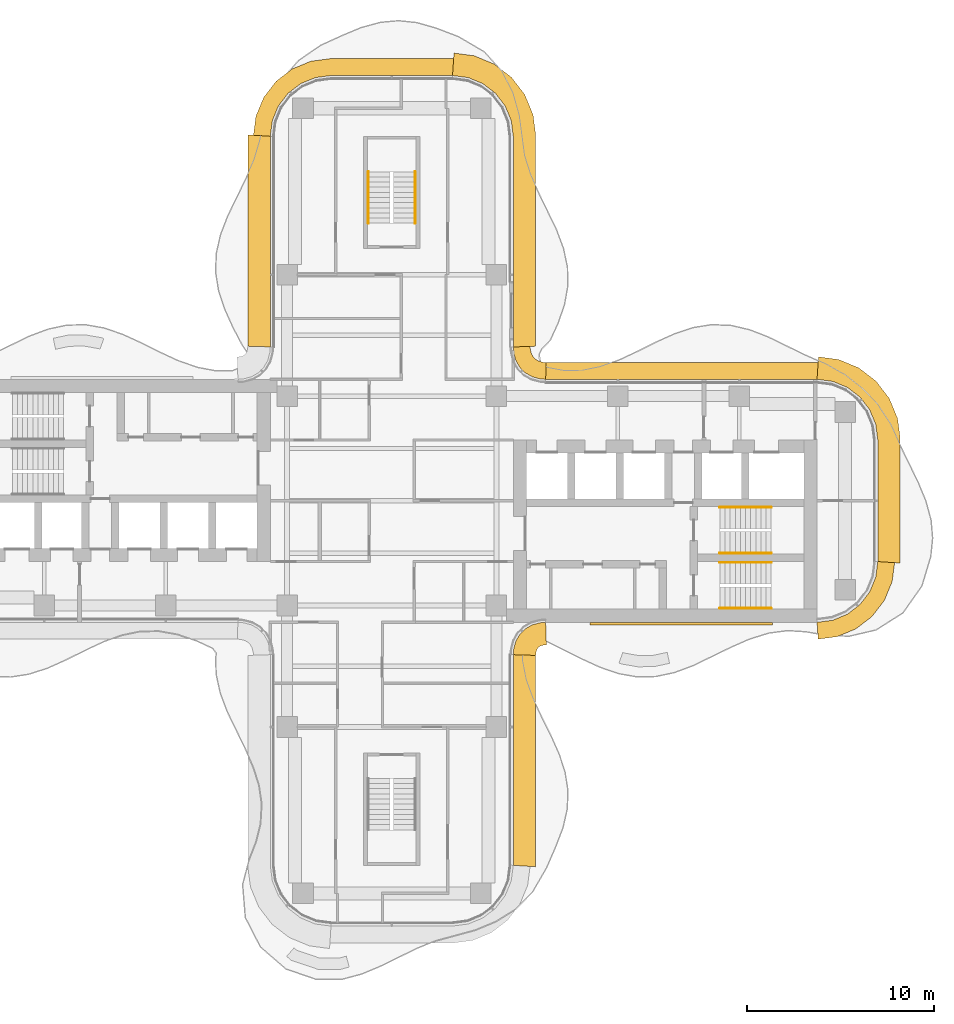
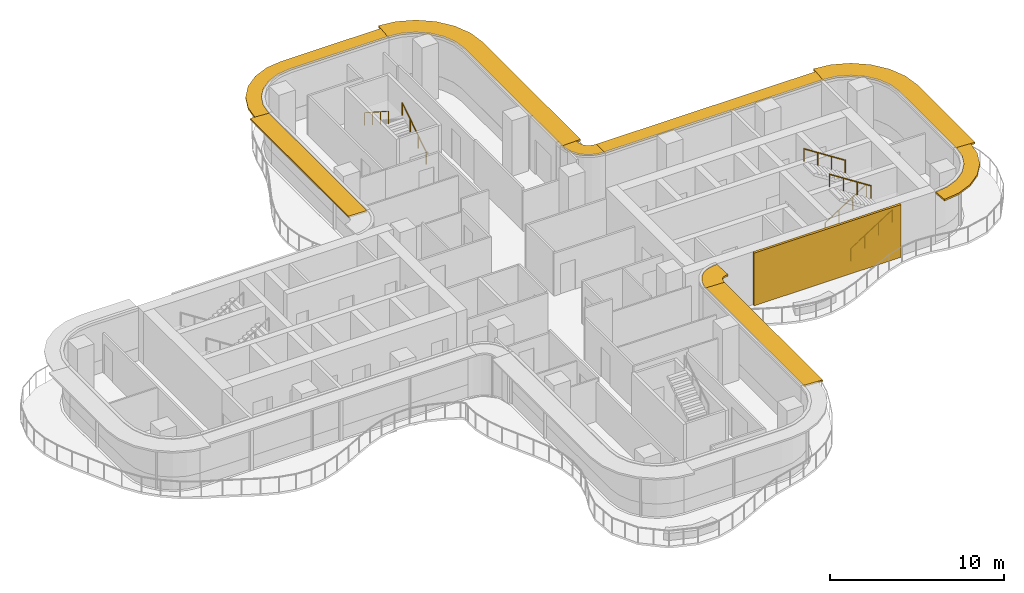
# One storey, part 16 of 16: 9 shading devices, 6 railings, 1 covering.
"""IFC4 building model written with IfcOpenShell, lengths in metres."""

from ifc_helpers import new_model, si_unit, direction, frame, origin, origin_2d, place, context, subcontext, project, spatial, polyline, circle, outline, extrude, source, transform, mapped, material, layer, layer_set, type_object, element, save


model = new_model("IFC4")

# Units and contexts
model_context = context("Model", 3, precision=1e-05, world=origin(), true_north=direction((0.0, 1.0)))
body_context = subcontext(model_context, "Body", "Model", "MODEL_VIEW")
ifc_project = project(units=[si_unit("LENGTHUNIT", "METRE"), si_unit("AREAUNIT", "SQUARE_METRE"), si_unit("VOLUMEUNIT", "CUBIC_METRE"), si_unit("PLANEANGLEUNIT", "RADIAN"), si_unit("MASSUNIT", "GRAM", prefix="KILO")], contexts=[model_context])

# Site, building, storey
site_placement = place(None, origin())
site = spatial("IfcSite", under=ifc_project, at=site_placement, CompositionType="ELEMENT")
building_placement = place(site_placement, origin())
building = spatial("IfcBuilding", under=site, at=building_placement, Name="Trellis Farm Tower", CompositionType="ELEMENT")
storey_placement = place(building_placement, frame((0.0, 0.0, 255.800048828125)))
storey = spatial("IfcBuildingStorey", under=building, at=storey_placement, Name="L57", CompositionType="ELEMENT", Elevation=255.800048828125)

# Railings
ifc_material_1 = material(Name="Stainless steel", Category="steel")
railing_type = type_object("IfcRailingType", Name="STAIR HANDRAIL 900", PredefinedType="HANDRAIL", material=ifc_material_1)
shared_shape_1 = source(origin(), body_context, "Body", "SweptSolid", [
    extrude(circle(Radius=0.02392578125, at=origin_2d()), frame((0.0, 0.0, 0.8759765625), z_axis=(0.0, 0.840503830235, 0.541805602924), x_axis=(-1.0, 0.0, 0.0)), (0.0, 0.0, 1.0), 3.271728515625),
    extrude(circle(Radius=0.02099609375, at=origin_2d()), origin(), (0.0, 0.0, 1.0), 0.851806640625),
    extrude(circle(Radius=0.02099609375, at=origin_2d()), frame((0.0, 0.916748046875, 0.5908203125)), (0.0, 0.0, 1.0), 0.851806640625),
    extrude(circle(Radius=0.02099609375, at=origin_2d()), frame((0.0, 1.833251953125, 1.181884765625)), (0.0, 0.0, 1.0), 0.851806640625),
    extrude(circle(Radius=0.02099609375, at=origin_2d()), frame((0.0, 2.75, 1.772705078125)), (0.0, 0.0, 1.0), 0.851806640625),
])
railing_1_placement = place(storey_placement, frame((1.25, 14.85009765625, 0.17724609375)))
element("IfcRailing", 1, at=railing_1_placement, inside=storey, type_object=railing_type, Name="Stair handrail", PredefinedType="HANDRAIL", context=body_context, shape_type="MappedRepresentation", body=[
    mapped(shared_shape_1, transform((0.0, 0.0, 0.0))),
])
shared_shape_2 = source(origin(), body_context, "Body", "SweptSolid", [
    extrude(circle(Radius=0.02392578125, at=origin_2d()), frame((0.0, 0.0, 0.8759765625), z_axis=(0.0, -0.840503830235, 0.541805602924), x_axis=(1.0, 0.0, 0.0)), (0.0, 0.0, 1.0), 3.271728515625),
    extrude(circle(Radius=0.02099609375, at=origin_2d()), origin(), (0.0, 0.0, 1.0), 0.851806640625),
    extrude(circle(Radius=0.02099609375, at=origin_2d()), frame((0.0, -0.916748046875, 0.5908203125)), (0.0, 0.0, 1.0), 0.851806640625),
    extrude(circle(Radius=0.02099609375, at=origin_2d()), frame((0.0, -1.833251953125, 1.181884765625)), (0.0, 0.0, 1.0), 0.851806640625),
    extrude(circle(Radius=0.02099609375, at=origin_2d()), frame((0.0, -2.75, 1.772705078125)), (0.0, 0.0, 1.0), 0.851806640625),
])
railing_2_placement = place(storey_placement, frame((-1.25, 17.60009765625, 2.127197265625)))
element("IfcRailing", 2, at=railing_2_placement, inside=storey, type_object=railing_type, Name="Stair handrail", PredefinedType="HANDRAIL", context=body_context, shape_type="MappedRepresentation", body=[
    mapped(shared_shape_2, transform((0.0, 0.0, 0.0))),
])
shared_shape_3 = source(origin(), body_context, "Body", "SweptSolid", [
    extrude(circle(Radius=0.02392578125, at=origin_2d()), frame((0.0, 0.0, 0.8759765625), z_axis=(0.840503830235, 0.0, 0.541805602924), x_axis=(0.0, 1.0, 0.0)), (0.0, 0.0, 1.0), 3.271728515625),
    extrude(circle(Radius=0.02099609375, at=origin_2d()), origin(), (0.0, 0.0, 1.0), 0.851806640625),
    extrude(circle(Radius=0.02099609375, at=origin_2d()), frame((0.916748046875, 0.0, 0.5908203125)), (0.0, 0.0, 1.0), 0.851806640625),
    extrude(circle(Radius=0.02099609375, at=origin_2d()), frame((1.833251953125, 0.0, 1.181884765625)), (0.0, 0.0, 1.0), 0.851806640625),
    extrude(circle(Radius=0.02099609375, at=origin_2d()), frame((2.75, 0.0, 1.772705078125)), (0.0, 0.0, 1.0), 0.851806640625),
])
for number, where, name in (
    (3, (17.550048828125, -5.75, 0.17724609375), "Stair handrail"),
    (4, (17.550048828125, -2.800048828125, 0.17724609375), "Stair handrail"),
):
    element("IfcRailing", number, at=place(storey_placement, frame(where)), inside=storey, type_object=railing_type, Name=name, PredefinedType="HANDRAIL", context=body_context, shape_type="MappedRepresentation", body=[
        mapped(shared_shape_3, transform((0.0, 0.0, 0.0))),
    ])
shared_shape_4 = source(origin(), body_context, "Body", "SweptSolid", [
    extrude(circle(Radius=0.02392578125, at=origin_2d()), frame((0.0, 0.0, 0.8759765625), z_axis=(-0.840503830235, 0.0, 0.541805602924), x_axis=(0.0, -1.0, 0.0)), (0.0, 0.0, 1.0), 3.271728515625),
    extrude(circle(Radius=0.02099609375, at=origin_2d()), origin(), (0.0, 0.0, 1.0), 0.851806640625),
    extrude(circle(Radius=0.02099609375, at=origin_2d()), frame((-0.916748046875, 0.0, 0.5908203125)), (0.0, 0.0, 1.0), 0.851806640625),
    extrude(circle(Radius=0.02099609375, at=origin_2d()), frame((-1.833251953125, 0.0, 1.181884765625)), (0.0, 0.0, 1.0), 0.851806640625),
    extrude(circle(Radius=0.02099609375, at=origin_2d()), frame((-2.75, 0.0, 1.772705078125)), (0.0, 0.0, 1.0), 0.851806640625),
])
for number, where, name in (
    (5, (20.300048828125, -3.300048828125, 2.127197265625), "Stair handrail"),
    (6, (20.300048828125, -0.35009765625, 2.127197265625), "Stair handrail"),
):
    element("IfcRailing", number, at=place(storey_placement, frame(where)), inside=storey, type_object=railing_type, Name=name, PredefinedType="HANDRAIL", context=body_context, shape_type="MappedRepresentation", body=[
        mapped(shared_shape_4, transform((0.0, 0.0, 0.0))),
    ])

# Shading devices
ifc_material_2 = material(Name="Aluminium extrusion 6063-T6", Category="aluminium")
ifc_layer_1 = layer(ifc_material_2, 0.1201171875)
ifc_layer_set_1 = layer_set([ifc_layer_1], Name="SUNSHADE BLADE 1200")
shading_device_type_1 = type_object("IfcShadingDeviceType", Name="SUNSHADE BLADE 1200", PredefinedType="USERDEFINED", material=ifc_layer_set_1)
shared_shape_5 = source(origin(), body_context, "Body", "SweptSolid", [
    extrude(outline(polyline([(7.699951171875, -8.270751953125), (7.708740234375, -8.13720703125), (7.70703125, -8.150146484375), (7.7548828125, -7.9716796875), (7.80712890625, -7.881103515625), (7.881103515625, -7.80712890625), (7.9716796875, -7.7548828125), (8.150146484375, -7.70703125), (8.13720703125, -7.708740234375), (8.270751953125, -7.699951171875), (8.2314453125, -6.5), (8.01953125, -6.513916015625), (7.91552734375, -6.527587890625), (7.508544921875, -6.63671875), (7.144287109375, -6.846923828125), (6.846923828125, -7.144287109375), (6.63671875, -7.508544921875), (6.527587890625, -7.91552734375), (6.513916015625, -8.01953125), (6.5, -8.2314453125), (7.699951171875, -8.270751953125)])), origin(), (0.0, 0.0, 1.0), 0.119873046875),
])
placement = place(storey_placement, frame((0.0, 0.0, 3.5400390625)))
element("IfcShadingDevice", 7, at=placement, inside=storey, type_object=shading_device_type_1, Name="SD2 006", ObjectType="SUNSHADE", PredefinedType="USERDEFINED", context=body_context, shape_type="MappedRepresentation", body=[
    mapped(shared_shape_5, transform((0.0, 0.0, 0.0))),
])
ifc_layer_2 = layer(ifc_material_2, 0.1201171875)
ifc_layer_set_2 = layer_set([ifc_layer_2], Name="SUNSHADE BLADE 900")
shading_device_type_2 = type_object("IfcShadingDeviceType", Name="SUNSHADE BLADE 900", PredefinedType="USERDEFINED", material=ifc_layer_set_2)
shared_shape_6 = source(origin(), body_context, "Body", "SweptSolid", [
    extrude(outline(polyline([(8.2607421875, 7.39990234375), (8.107666015625, 7.409912109375), (8.091552734375, 7.412109375), (7.85595703125, 7.475341796875), (7.697021484375, 7.567138671875), (7.567138671875, 7.697021484375), (7.475341796875, 7.85595703125), (7.412109375, 8.091552734375), (7.409912109375, 8.107666015625), (7.39990234375, 8.2607421875), (6.5, 8.2314453125), (6.513916015625, 8.01953125), (6.527587890625, 7.91552734375), (6.63671875, 7.508544921875), (6.846923828125, 7.144287109375), (7.144287109375, 6.846923828125), (7.508544921875, 6.63671875), (7.91552734375, 6.527587890625), (8.01953125, 6.513916015625), (8.2314453125, 6.5), (8.2607421875, 7.39990234375)])), origin(), (0.0, 0.0, 1.0), 0.119873046875),
])
element("IfcShadingDevice", 8, at=placement, inside=storey, type_object=shading_device_type_2, Name="SD1 010", ObjectType="SUNSHADE", PredefinedType="USERDEFINED", context=body_context, shape_type="MappedRepresentation", body=[
    mapped(shared_shape_6, transform((0.0, 0.0, 0.0))),
])
shared_shape_7 = source(origin(), body_context, "Body", "SweptSolid", [
    extrude(outline(polyline([(7.699951171875, 8.270751953125), (7.699951171875, 19.57861328125), (7.558349609375, 20.654541015625), (7.11279296875, 21.730224609375), (6.404052734375, 22.654052734375), (5.480224609375, 23.36279296875), (4.404541015625, 23.808349609375), (3.32861328125, 23.949951171875), (3.25, 22.75), (4.091064453125, 22.63916015625), (4.875, 22.314697265625), (5.548095703125, 21.798095703125), (6.064697265625, 21.125), (6.38916015625, 20.341064453125), (6.5, 19.5), (6.5, 8.2314453125), (7.699951171875, 8.270751953125)])), origin(), (0.0, 0.0, 1.0), 0.119873046875),
])
element("IfcShadingDevice", 9, at=placement, inside=storey, type_object=shading_device_type_1, Name="SD2 011", ObjectType="SUNSHADE", PredefinedType="USERDEFINED", context=body_context, shape_type="MappedRepresentation", body=[
    mapped(shared_shape_7, transform((0.0, 0.0, 0.0))),
])
shared_shape_8 = source(origin(), body_context, "Body", "SweptSolid", [
    extrude(outline(polyline([(3.30908203125, 23.64990234375), (-3.30908203125, 23.64990234375), (-4.326171875, 23.51611328125), (-5.328857421875, 23.100830078125), (-6.18994140625, 22.43994140625), (-6.850830078125, 21.578857421875), (-7.26611328125, 20.576171875), (-7.39990234375, 19.55908203125), (-6.5, 19.5), (-6.38916015625, 20.341064453125), (-6.064697265625, 21.125), (-5.548095703125, 21.798095703125), (-4.875, 22.314697265625), (-4.091064453125, 22.63916015625), (-3.25, 22.75), (3.25, 22.75), (3.30908203125, 23.64990234375)])), origin(), (0.0, 0.0, 1.0), 0.119873046875),
])
element("IfcShadingDevice", 10, at=placement, inside=storey, type_object=shading_device_type_2, Name="SD1 012", ObjectType="SUNSHADE", PredefinedType="USERDEFINED", context=body_context, shape_type="MappedRepresentation", body=[
    mapped(shared_shape_8, transform((0.0, 0.0, 0.0))),
])
shared_shape_9 = source(origin(), body_context, "Body", "SweptSolid", [
    extrude(outline(polyline([(-7.699951171875, 19.57861328125), (-7.699951171875, 8.270751953125), (-6.5, 8.2314453125), (-6.5, 19.5), (-7.699951171875, 19.57861328125)])), origin(), (0.0, 0.0, 1.0), 0.119873046875),
])
element("IfcShadingDevice", 11, at=placement, inside=storey, type_object=shading_device_type_1, Name="SD2 013", ObjectType="SUNSHADE", PredefinedType="USERDEFINED", context=body_context, shape_type="MappedRepresentation", body=[
    mapped(shared_shape_9, transform((0.0, 0.0, 0.0))),
])

# Covering
ifc_material_3 = material(Name="Perforated precast screen (cobogo)", Category="concrete")
ifc_layer_3 = layer(ifc_material_3, 0.14990234375)
ifc_layer_set_3 = layer_set([ifc_layer_3], Name="COBOGO SCREEN PANEL")
covering_type = type_object("IfcCoveringType", Name="COBOGO SCREEN PANEL", PredefinedType="USERDEFINED", material=ifc_layer_set_3)
shared_shape_10 = source(origin(), body_context, "Body", "SweptSolid", [
    extrude(outline(polyline([(10.61572265625, -6.64990234375), (20.36572265625, -6.64990234375), (20.36572265625, -6.5), (10.61572265625, -6.5), (10.61572265625, -6.64990234375)])), origin(), (0.0, 0.0, 1.0), 3.699951171875),
])
covering_placement = place(storey_placement, origin())
element("IfcCovering", 12, at=covering_placement, inside=storey, type_object=covering_type, Name="SC1 01", ObjectType="SCREEN", PredefinedType="USERDEFINED", context=body_context, shape_type="MappedRepresentation", body=[
    mapped(shared_shape_10, transform((0.0, 0.0, 0.0))),
])

# Shading devices
shared_shape_11 = source(origin(), body_context, "Body", "SweptSolid", [
    extrude(outline(polyline([(22.80908203125, -7.39990234375), (23.826171875, -7.26611328125), (24.828857421875, -6.850830078125), (25.68994140625, -6.18994140625), (26.350830078125, -5.328857421875), (26.76611328125, -4.326171875), (26.89990234375, -3.30908203125), (26.0, -3.25), (25.88916015625, -4.091064453125), (25.564697265625, -4.875), (25.048095703125, -5.548095703125), (24.375, -6.064697265625), (23.591064453125, -6.38916015625), (22.75, -6.5), (22.80908203125, -7.39990234375)])), origin(), (0.0, 0.0, 1.0), 0.119873046875),
])
element("IfcShadingDevice", 13, at=placement, inside=storey, type_object=shading_device_type_2, Name="SD1 007", ObjectType="SUNSHADE", PredefinedType="USERDEFINED", context=body_context, shape_type="MappedRepresentation", body=[
    mapped(shared_shape_11, transform((0.0, 0.0, 0.0))),
])
shared_shape_12 = source(origin(), body_context, "Body", "SweptSolid", [
    extrude(outline(polyline([(27.199951171875, -3.32861328125), (27.199951171875, 3.32861328125), (27.058349609375, 4.404541015625), (26.61279296875, 5.480224609375), (25.904052734375, 6.404052734375), (24.980224609375, 7.11279296875), (23.904541015625, 7.558349609375), (22.82861328125, 7.699951171875), (22.75, 6.5), (23.591064453125, 6.38916015625), (24.375, 6.064697265625), (25.048095703125, 5.548095703125), (25.564697265625, 4.875), (25.88916015625, 4.091064453125), (26.0, 3.25), (26.0, -3.25), (27.199951171875, -3.32861328125)])), origin(), (0.0, 0.0, 1.0), 0.119873046875),
])
element("IfcShadingDevice", 14, at=placement, inside=storey, type_object=shading_device_type_1, Name="SD2 008", ObjectType="SUNSHADE", PredefinedType="USERDEFINED", context=body_context, shape_type="MappedRepresentation", body=[
    mapped(shared_shape_12, transform((0.0, 0.0, 0.0))),
])
shared_shape_13 = source(origin(), body_context, "Body", "SweptSolid", [
    extrude(outline(polyline([(22.80908203125, 7.39990234375), (8.2607421875, 7.39990234375), (8.2314453125, 6.5), (22.75, 6.5), (22.80908203125, 7.39990234375)])), origin(), (0.0, 0.0, 1.0), 0.119873046875),
])
element("IfcShadingDevice", 15, at=placement, inside=storey, type_object=shading_device_type_2, Name="SD1 009", ObjectType="SUNSHADE", PredefinedType="USERDEFINED", context=body_context, shape_type="MappedRepresentation", body=[
    mapped(shared_shape_13, transform((0.0, 0.0, 0.0))),
])
shared_shape_14 = source(origin(), body_context, "Body", "SweptSolid", [
    extrude(outline(polyline([(7.699951171875, -19.57861328125), (7.699951171875, -8.270751953125), (6.5, -8.2314453125), (6.5, -19.5), (7.699951171875, -19.57861328125)])), origin(), (0.0, 0.0, 1.0), 0.119873046875),
])
element("IfcShadingDevice", 16, at=placement, inside=storey, type_object=shading_device_type_1, Name="SD2 005", ObjectType="SUNSHADE", PredefinedType="USERDEFINED", context=body_context, shape_type="MappedRepresentation", body=[
    mapped(shared_shape_14, transform((0.0, 0.0, 0.0))),
])

save(model, "model.ifc")
